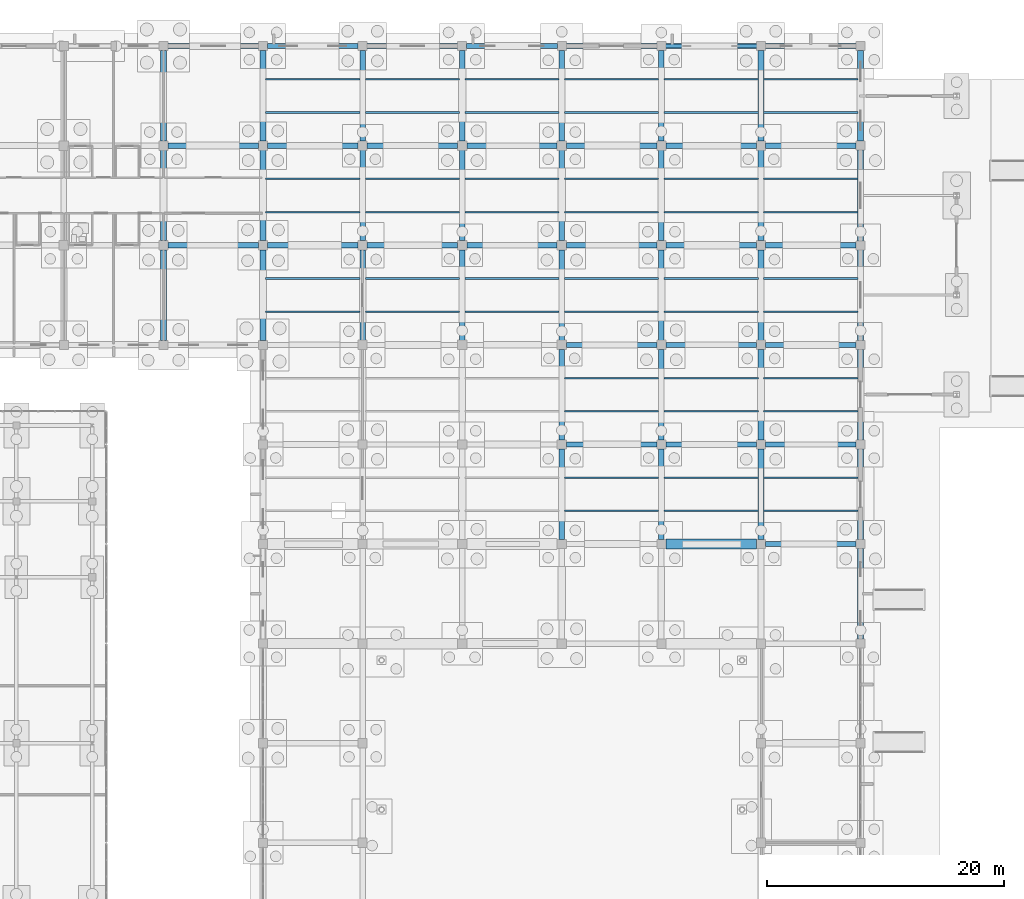
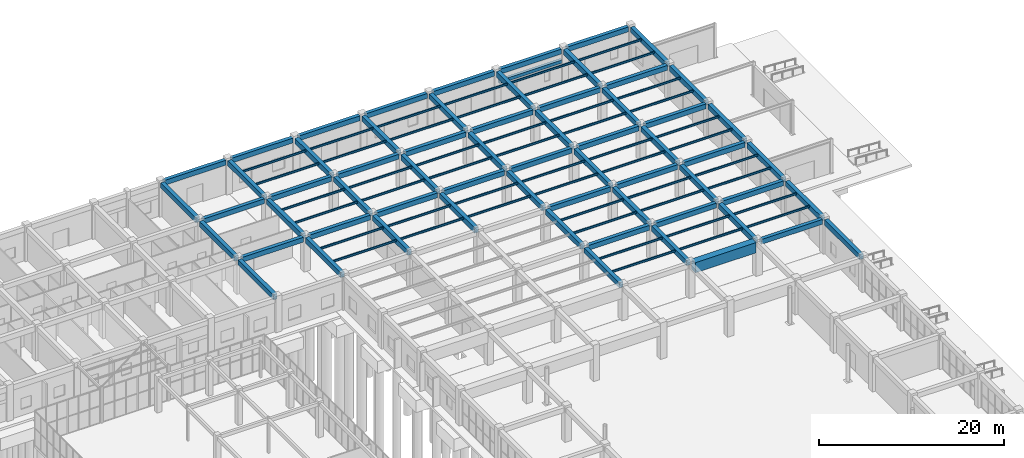
# One storey, part 134 of 192: 111 beams.
"""IFC4 building model written with IfcOpenShell, lengths in metres."""

from ifc_helpers import new_model, si_unit, direction, frame, origin, origin_2d, place, context, subcontext, project, spatial, rectangle, i_section, extrude, material, material_profile, profile_set, type_object, element, save


model = new_model("IFC4")

# Units and contexts
model_context = context("Model", 3, precision=1e-05, world=origin(), true_north=direction((0.0, 1.0)))
body_context = subcontext(model_context, "Body", "Model", "MODEL_VIEW")
ifc_project = project(units=[si_unit("LENGTHUNIT", "METRE"), si_unit("AREAUNIT", "SQUARE_METRE"), si_unit("VOLUMEUNIT", "CUBIC_METRE"), si_unit("PLANEANGLEUNIT", "RADIAN"), si_unit("MASSUNIT", "GRAM", prefix="KILO")], contexts=[model_context])

# Site, building, storey
site_placement = place(None, origin())
site = spatial("IfcSite", under=ifc_project, at=site_placement, CompositionType="ELEMENT")
building_placement = place(site_placement, origin())
building = spatial("IfcBuilding", under=site, at=building_placement, Name="Trelvath General Hospital", CompositionType="ELEMENT")
storey_placement = place(building_placement, origin())
storey = spatial("IfcBuildingStorey", under=building, at=storey_placement, Name="L00", CompositionType="ELEMENT", Elevation=0.0)

# Beams
ifc_material_1 = material(Name="Concrete C35/45", Category="concrete")
ifc_material_profile_1 = material_profile(ifc_material_1, rectangle(XDim=0.43994140625, YDim=0.639892578125, at=origin_2d()), Name="RCB440x640")
ifc_profile_set_1 = profile_set([ifc_material_profile_1], Name="Concrete C35/45")
beam_type_1 = type_object("IfcBeamType", Name="Beam RC440x640", PredefinedType="BEAM", material=ifc_profile_set_1)
for number, where, z_axis, x_axis, name in (
    (1, (126.385009765625, 100.800048828125, 4.199951171875), (1.0, 0.0, 0.0), (0.0, 1.0, 0.0), "Grid Beam BX-015M"),
    (2, (126.385009765625, 109.199951171875, 4.199951171875), (1.0, 0.0, 0.0), (0.0, 1.0, 0.0), "Grid Beam BX-015N"),
):
    element("IfcBeam", number, at=place(storey_placement, frame(where, z_axis=z_axis, x_axis=x_axis)), inside=storey, type_object=beam_type_1, Name=name, PredefinedType="BEAM", context=body_context, shape_type="SweptSolid", body=[
        extrude(rectangle(XDim=0.43994140625, YDim=0.639892578125, at=origin_2d()), origin(), (0.0, 0.0, 1.0), 7.6298828125),
    ])
beam_1_placement = place(storey_placement, frame((126.375, 117.60009765625, 4.199951171875), z_axis=(1.0, 0.0, 0.0), x_axis=(0.0, 1.0, 0.0)))
element("IfcBeam", 3, at=beam_1_placement, inside=storey, type_object=beam_type_1, Name="Grid Beam BX-015O", PredefinedType="BEAM", context=body_context, shape_type="SweptSolid", body=[
    extrude(rectangle(XDim=0.43994140625, YDim=0.639892578125, at=origin_2d()), origin(), (0.0, 0.0, 1.0), 7.64990234375),
])
for number, where, z_axis, x_axis, name in (
    (4, (134.784912109375, 100.800048828125, 4.199951171875), (1.0, 0.0, 0.0), (0.0, 1.0, 0.0), "Grid Beam BX-016M"),
    (5, (134.784912109375, 109.199951171875, 4.199951171875), (1.0, 0.0, 0.0), (0.0, 1.0, 0.0), "Grid Beam BX-016N"),
):
    element("IfcBeam", number, at=place(storey_placement, frame(where, z_axis=z_axis, x_axis=x_axis)), inside=storey, type_object=beam_type_1, Name=name, PredefinedType="BEAM", context=body_context, shape_type="SweptSolid", body=[
        extrude(rectangle(XDim=0.43994140625, YDim=0.639892578125, at=origin_2d()), origin(), (0.0, 0.0, 1.0), 7.630126953125),
    ])
beam_2_placement = place(storey_placement, frame((134.77490234375, 117.60009765625, 4.199951171875), z_axis=(1.0, 0.0, 0.0), x_axis=(0.0, 1.0, 0.0)))
element("IfcBeam", 6, at=beam_2_placement, inside=storey, type_object=beam_type_1, Name="Grid Beam BX-016O", PredefinedType="BEAM", context=body_context, shape_type="SweptSolid", body=[
    extrude(rectangle(XDim=0.43994140625, YDim=0.639892578125, at=origin_2d()), origin(), (0.0, 0.0, 1.0), 7.650146484375),
])
for number, where, z_axis, x_axis, name in (
    (7, (143.18505859375, 100.800048828125, 4.199951171875), (1.0, 0.0, 0.0), (0.0, 1.0, 0.0), "Grid Beam BX-017M"),
    (8, (143.18505859375, 109.199951171875, 4.199951171875), (1.0, 0.0, 0.0), (0.0, 1.0, 0.0), "Grid Beam BX-017N"),
):
    element("IfcBeam", number, at=place(storey_placement, frame(where, z_axis=z_axis, x_axis=x_axis)), inside=storey, type_object=beam_type_1, Name=name, PredefinedType="BEAM", context=body_context, shape_type="SweptSolid", body=[
        extrude(rectangle(XDim=0.43994140625, YDim=0.639892578125, at=origin_2d()), origin(), (0.0, 0.0, 1.0), 7.6298828125),
    ])
beam_3_placement = place(storey_placement, frame((143.175048828125, 117.60009765625, 4.199951171875), z_axis=(1.0, 0.0, 0.0), x_axis=(0.0, 1.0, 0.0)))
element("IfcBeam", 9, at=beam_3_placement, inside=storey, type_object=beam_type_1, Name="Grid Beam BX-017O", PredefinedType="BEAM", context=body_context, shape_type="SweptSolid", body=[
    extrude(rectangle(XDim=0.43994140625, YDim=0.639892578125, at=origin_2d()), origin(), (0.0, 0.0, 1.0), 7.64990234375),
])
for number, where, z_axis, x_axis, name in (
    (10, (151.5849609375, 100.800048828125, 4.199951171875), (1.0, 0.0, 0.0), (0.0, 1.0, 0.0), "Grid Beam BX-018M"),
    (11, (151.5849609375, 109.199951171875, 4.199951171875), (1.0, 0.0, 0.0), (0.0, 1.0, 0.0), "Grid Beam BX-018N"),
):
    element("IfcBeam", number, at=place(storey_placement, frame(where, z_axis=z_axis, x_axis=x_axis)), inside=storey, type_object=beam_type_1, Name=name, PredefinedType="BEAM", context=body_context, shape_type="SweptSolid", body=[
        extrude(rectangle(XDim=0.43994140625, YDim=0.639892578125, at=origin_2d()), origin(), (0.0, 0.0, 1.0), 7.630126953125),
    ])
beam_4_placement = place(storey_placement, frame((151.574951171875, 117.60009765625, 4.199951171875), z_axis=(1.0, 0.0, 0.0), x_axis=(0.0, 1.0, 0.0)))
element("IfcBeam", 12, at=beam_4_placement, inside=storey, type_object=beam_type_1, Name="Grid Beam BX-018O", PredefinedType="BEAM", context=body_context, shape_type="SweptSolid", body=[
    extrude(rectangle(XDim=0.43994140625, YDim=0.639892578125, at=origin_2d()), origin(), (0.0, 0.0, 1.0), 7.650146484375),
])
for number, where, z_axis, x_axis, name in (
    (13, (159.985107421875, 84.0, 4.199951171875), (1.0, 0.0, 0.0), (0.0, 1.0, 0.0), "Grid Beam BX-019K"),
    (14, (159.985107421875, 92.39990234375, 4.199951171875), (1.0, 0.0, 0.0), (0.0, 1.0, 0.0), "Grid Beam BX-019L"),
    (15, (159.985107421875, 100.800048828125, 4.199951171875), (1.0, 0.0, 0.0), (0.0, 1.0, 0.0), "Grid Beam BX-019M"),
    (16, (159.985107421875, 109.199951171875, 4.199951171875), (1.0, 0.0, 0.0), (0.0, 1.0, 0.0), "Grid Beam BX-019N"),
):
    element("IfcBeam", number, at=place(storey_placement, frame(where, z_axis=z_axis, x_axis=x_axis)), inside=storey, type_object=beam_type_1, Name=name, PredefinedType="BEAM", context=body_context, shape_type="SweptSolid", body=[
        extrude(rectangle(XDim=0.43994140625, YDim=0.639892578125, at=origin_2d()), origin(), (0.0, 0.0, 1.0), 7.6298828125),
    ])
beam_5_placement = place(storey_placement, frame((159.97509765625, 117.60009765625, 4.199951171875), z_axis=(1.0, 0.0, 0.0), x_axis=(0.0, 1.0, 0.0)))
element("IfcBeam", 17, at=beam_5_placement, inside=storey, type_object=beam_type_1, Name="Grid Beam BX-019O", PredefinedType="BEAM", context=body_context, shape_type="SweptSolid", body=[
    extrude(rectangle(XDim=0.43994140625, YDim=0.639892578125, at=origin_2d()), origin(), (0.0, 0.0, 1.0), 7.64990234375),
])
for number, where, z_axis, x_axis, name in (
    (18, (168.385009765625, 84.0, 4.199951171875), (1.0, 0.0, 0.0), (0.0, 1.0, 0.0), "Grid Beam BX-020K"),
    (19, (168.385009765625, 92.39990234375, 4.199951171875), (1.0, 0.0, 0.0), (0.0, 1.0, 0.0), "Grid Beam BX-020L"),
    (20, (168.385009765625, 100.800048828125, 4.199951171875), (1.0, 0.0, 0.0), (0.0, 1.0, 0.0), "Grid Beam BX-020M"),
    (21, (168.385009765625, 109.199951171875, 4.199951171875), (1.0, 0.0, 0.0), (0.0, 1.0, 0.0), "Grid Beam BX-020N"),
):
    element("IfcBeam", number, at=place(storey_placement, frame(where, z_axis=z_axis, x_axis=x_axis)), inside=storey, type_object=beam_type_1, Name=name, PredefinedType="BEAM", context=body_context, shape_type="SweptSolid", body=[
        extrude(rectangle(XDim=0.43994140625, YDim=0.639892578125, at=origin_2d()), origin(), (0.0, 0.0, 1.0), 7.6298828125),
    ])
beam_6_placement = place(storey_placement, frame((168.375, 117.60009765625, 4.199951171875), z_axis=(1.0, 0.0, 0.0), x_axis=(0.0, 1.0, 0.0)))
element("IfcBeam", 22, at=beam_6_placement, inside=storey, type_object=beam_type_1, Name="Grid Beam BX-020O", PredefinedType="BEAM", context=body_context, shape_type="SweptSolid", body=[
    extrude(rectangle(XDim=0.43994140625, YDim=0.639892578125, at=origin_2d()), origin(), (0.0, 0.0, 1.0), 7.64990234375),
])
for number, where, z_axis, x_axis, name in (
    (23, (176.784912109375, 75.60009765625, 4.199951171875), (1.0, 0.0, 0.0), (0.0, 1.0, 0.0), "Grid Beam BX-021J"),
    (24, (176.784912109375, 84.0, 4.199951171875), (1.0, 0.0, 0.0), (0.0, 1.0, 0.0), "Grid Beam BX-021K"),
    (25, (176.784912109375, 92.39990234375, 4.199951171875), (1.0, 0.0, 0.0), (0.0, 1.0, 0.0), "Grid Beam BX-021L"),
    (26, (176.784912109375, 100.800048828125, 4.199951171875), (1.0, 0.0, 0.0), (0.0, 1.0, 0.0), "Grid Beam BX-021M"),
    (27, (176.784912109375, 109.199951171875, 4.199951171875), (1.0, 0.0, 0.0), (0.0, 1.0, 0.0), "Grid Beam BX-021N"),
):
    element("IfcBeam", number, at=place(storey_placement, frame(where, z_axis=z_axis, x_axis=x_axis)), inside=storey, type_object=beam_type_1, Name=name, PredefinedType="BEAM", context=body_context, shape_type="SweptSolid", body=[
        extrude(rectangle(XDim=0.43994140625, YDim=0.639892578125, at=origin_2d()), origin(), (0.0, 0.0, 1.0), 7.64013671875),
    ])
beam_7_placement = place(storey_placement, frame((176.77490234375, 117.60009765625, 4.199951171875), z_axis=(1.0, 0.0, 0.0), x_axis=(0.0, 1.0, 0.0)))
element("IfcBeam", 28, at=beam_7_placement, inside=storey, type_object=beam_type_1, Name="Grid Beam BX-021O", PredefinedType="BEAM", context=body_context, shape_type="SweptSolid", body=[
    extrude(rectangle(XDim=0.43994140625, YDim=0.639892578125, at=origin_2d()), origin(), (0.0, 0.0, 1.0), 7.650146484375),
])
ifc_material_2 = material(Name="Concrete C35/45", Category="concrete")
ifc_material_profile_2 = material_profile(ifc_material_2, rectangle(XDim=0.47998046875, YDim=0.679931640625, at=origin_2d()), Name="RCB480x680")
ifc_profile_set_2 = profile_set([ifc_material_profile_2], Name="Concrete C35/45")
beam_type_2 = type_object("IfcBeamType", Name="Beam RC480x680", PredefinedType="BEAM", material=ifc_profile_set_2)
beam_8_placement = place(storey_placement, frame((126.0, 92.77490234375, 4.179931640625), z_axis=(0.0, 1.0, 0.0), x_axis=(-1.0, 0.0, 0.0)))
element("IfcBeam", 29, at=beam_8_placement, inside=storey, type_object=beam_type_2, Name="Grid Beam BY-015L", PredefinedType="BEAM", context=body_context, shape_type="SweptSolid", body=[
    extrude(rectangle(XDim=0.47998046875, YDim=0.679931640625, at=origin_2d()), origin(), (0.0, 0.0, 1.0), 7.64013671875),
])
beam_9_placement = place(storey_placement, frame((126.0, 101.18505859375, 4.179931640625), z_axis=(0.0, 1.0, 0.0), x_axis=(-1.0, 0.0, 0.0)))
element("IfcBeam", 30, at=beam_9_placement, inside=storey, type_object=beam_type_2, Name="Grid Beam BY-015M", PredefinedType="BEAM", context=body_context, shape_type="SweptSolid", body=[
    extrude(rectangle(XDim=0.47998046875, YDim=0.679931640625, at=origin_2d()), origin(), (0.0, 0.0, 1.0), 7.6298828125),
])
for number, where, z_axis, x_axis, name in (
    (31, (126.0, 109.5849609375, 4.179931640625), (0.0, 1.0, 0.0), (-1.0, 0.0, 0.0), "Grid Beam BY-015N"),
    (32, (134.39990234375, 92.77490234375, 4.179931640625), (0.0, 1.0, 0.0), (-1.0, 0.0, 0.0), "Grid Beam BY-016L"),
):
    element("IfcBeam", number, at=place(storey_placement, frame(where, z_axis=z_axis, x_axis=x_axis)), inside=storey, type_object=beam_type_2, Name=name, PredefinedType="BEAM", context=body_context, shape_type="SweptSolid", body=[
        extrude(rectangle(XDim=0.47998046875, YDim=0.679931640625, at=origin_2d()), origin(), (0.0, 0.0, 1.0), 7.64013671875),
    ])
beam_10_placement = place(storey_placement, frame((134.39990234375, 101.18505859375, 4.179931640625), z_axis=(0.0, 1.0, 0.0), x_axis=(-1.0, 0.0, 0.0)))
element("IfcBeam", 33, at=beam_10_placement, inside=storey, type_object=beam_type_2, Name="Grid Beam BY-016M", PredefinedType="BEAM", context=body_context, shape_type="SweptSolid", body=[
    extrude(rectangle(XDim=0.47998046875, YDim=0.679931640625, at=origin_2d()), origin(), (0.0, 0.0, 1.0), 7.6298828125),
])
beam_11_placement = place(storey_placement, frame((134.39990234375, 109.5849609375, 4.179931640625), z_axis=(0.0, 1.0, 0.0), x_axis=(-1.0, 0.0, 0.0)))
element("IfcBeam", 34, at=beam_11_placement, inside=storey, type_object=beam_type_2, Name="Grid Beam BY-016N", PredefinedType="BEAM", context=body_context, shape_type="SweptSolid", body=[
    extrude(rectangle(XDim=0.47998046875, YDim=0.679931640625, at=origin_2d()), origin(), (0.0, 0.0, 1.0), 7.64013671875),
])
beam_12_placement = place(storey_placement, frame((142.800048828125, 92.784912109375, 4.179931640625), z_axis=(0.0, 1.0, 0.0), x_axis=(-1.0, 0.0, 0.0)))
element("IfcBeam", 35, at=beam_12_placement, inside=storey, type_object=beam_type_2, Name="Grid Beam BY-017L", PredefinedType="BEAM", context=body_context, shape_type="SweptSolid", body=[
    extrude(rectangle(XDim=0.47998046875, YDim=0.679931640625, at=origin_2d()), origin(), (0.0, 0.0, 1.0), 7.630126953125),
])
beam_13_placement = place(storey_placement, frame((142.800048828125, 101.18505859375, 4.179931640625), z_axis=(0.0, 1.0, 0.0), x_axis=(-1.0, 0.0, 0.0)))
element("IfcBeam", 36, at=beam_13_placement, inside=storey, type_object=beam_type_2, Name="Grid Beam BY-017M", PredefinedType="BEAM", context=body_context, shape_type="SweptSolid", body=[
    extrude(rectangle(XDim=0.47998046875, YDim=0.679931640625, at=origin_2d()), origin(), (0.0, 0.0, 1.0), 7.6298828125),
])
beam_14_placement = place(storey_placement, frame((142.800048828125, 109.5849609375, 4.179931640625), z_axis=(0.0, 1.0, 0.0), x_axis=(-1.0, 0.0, 0.0)))
element("IfcBeam", 37, at=beam_14_placement, inside=storey, type_object=beam_type_2, Name="Grid Beam BY-017N", PredefinedType="BEAM", context=body_context, shape_type="SweptSolid", body=[
    extrude(rectangle(XDim=0.47998046875, YDim=0.679931640625, at=origin_2d()), origin(), (0.0, 0.0, 1.0), 7.64013671875),
])
beam_15_placement = place(storey_placement, frame((151.199951171875, 92.784912109375, 4.179931640625), z_axis=(0.0, 1.0, 0.0), x_axis=(-1.0, 0.0, 0.0)))
element("IfcBeam", 38, at=beam_15_placement, inside=storey, type_object=beam_type_2, Name="Grid Beam BY-018L", PredefinedType="BEAM", context=body_context, shape_type="SweptSolid", body=[
    extrude(rectangle(XDim=0.47998046875, YDim=0.679931640625, at=origin_2d()), origin(), (0.0, 0.0, 1.0), 7.630126953125),
])
beam_16_placement = place(storey_placement, frame((151.199951171875, 101.18505859375, 4.179931640625), z_axis=(0.0, 1.0, 0.0), x_axis=(-1.0, 0.0, 0.0)))
element("IfcBeam", 39, at=beam_16_placement, inside=storey, type_object=beam_type_2, Name="Grid Beam BY-018M", PredefinedType="BEAM", context=body_context, shape_type="SweptSolid", body=[
    extrude(rectangle(XDim=0.47998046875, YDim=0.679931640625, at=origin_2d()), origin(), (0.0, 0.0, 1.0), 7.6298828125),
])
beam_17_placement = place(storey_placement, frame((151.199951171875, 109.5849609375, 4.179931640625), z_axis=(0.0, 1.0, 0.0), x_axis=(-1.0, 0.0, 0.0)))
element("IfcBeam", 40, at=beam_17_placement, inside=storey, type_object=beam_type_2, Name="Grid Beam BY-018N", PredefinedType="BEAM", context=body_context, shape_type="SweptSolid", body=[
    extrude(rectangle(XDim=0.47998046875, YDim=0.679931640625, at=origin_2d()), origin(), (0.0, 0.0, 1.0), 7.64013671875),
])
for number, where, z_axis, x_axis, name in (
    (41, (159.60009765625, 75.985107421875, 4.179931640625), (0.0, 1.0, 0.0), (-1.0, 0.0, 0.0), "Grid Beam BY-019J"),
    (42, (159.60009765625, 84.385009765625, 4.179931640625), (0.0, 1.0, 0.0), (-1.0, 0.0, 0.0), "Grid Beam BY-019K"),
):
    element("IfcBeam", number, at=place(storey_placement, frame(where, z_axis=z_axis, x_axis=x_axis)), inside=storey, type_object=beam_type_2, Name=name, PredefinedType="BEAM", context=body_context, shape_type="SweptSolid", body=[
        extrude(rectangle(XDim=0.47998046875, YDim=0.679931640625, at=origin_2d()), origin(), (0.0, 0.0, 1.0), 7.6298828125),
    ])
beam_18_placement = place(storey_placement, frame((159.60009765625, 92.784912109375, 4.179931640625), z_axis=(0.0, 1.0, 0.0), x_axis=(-1.0, 0.0, 0.0)))
element("IfcBeam", 43, at=beam_18_placement, inside=storey, type_object=beam_type_2, Name="Grid Beam BY-019L", PredefinedType="BEAM", context=body_context, shape_type="SweptSolid", body=[
    extrude(rectangle(XDim=0.47998046875, YDim=0.679931640625, at=origin_2d()), origin(), (0.0, 0.0, 1.0), 7.630126953125),
])
beam_19_placement = place(storey_placement, frame((159.60009765625, 101.18505859375, 4.179931640625), z_axis=(0.0, 1.0, 0.0), x_axis=(-1.0, 0.0, 0.0)))
element("IfcBeam", 44, at=beam_19_placement, inside=storey, type_object=beam_type_2, Name="Grid Beam BY-019M", PredefinedType="BEAM", context=body_context, shape_type="SweptSolid", body=[
    extrude(rectangle(XDim=0.47998046875, YDim=0.679931640625, at=origin_2d()), origin(), (0.0, 0.0, 1.0), 7.6298828125),
])
beam_20_placement = place(storey_placement, frame((159.60009765625, 109.5849609375, 4.179931640625), z_axis=(0.0, 1.0, 0.0), x_axis=(-1.0, 0.0, 0.0)))
element("IfcBeam", 45, at=beam_20_placement, inside=storey, type_object=beam_type_2, Name="Grid Beam BY-019N", PredefinedType="BEAM", context=body_context, shape_type="SweptSolid", body=[
    extrude(rectangle(XDim=0.47998046875, YDim=0.679931640625, at=origin_2d()), origin(), (0.0, 0.0, 1.0), 7.64013671875),
])
for number, where, z_axis, x_axis, name in (
    (46, (168.0, 75.985107421875, 4.179931640625), (0.0, 1.0, 0.0), (-1.0, 0.0, 0.0), "Grid Beam BY-020J"),
    (47, (168.0, 84.385009765625, 4.179931640625), (0.0, 1.0, 0.0), (-1.0, 0.0, 0.0), "Grid Beam BY-020K"),
):
    element("IfcBeam", number, at=place(storey_placement, frame(where, z_axis=z_axis, x_axis=x_axis)), inside=storey, type_object=beam_type_2, Name=name, PredefinedType="BEAM", context=body_context, shape_type="SweptSolid", body=[
        extrude(rectangle(XDim=0.47998046875, YDim=0.679931640625, at=origin_2d()), origin(), (0.0, 0.0, 1.0), 7.6298828125),
    ])
beam_21_placement = place(storey_placement, frame((168.0, 92.784912109375, 4.179931640625), z_axis=(0.0, 1.0, 0.0), x_axis=(-1.0, 0.0, 0.0)))
element("IfcBeam", 48, at=beam_21_placement, inside=storey, type_object=beam_type_2, Name="Grid Beam BY-020L", PredefinedType="BEAM", context=body_context, shape_type="SweptSolid", body=[
    extrude(rectangle(XDim=0.47998046875, YDim=0.679931640625, at=origin_2d()), origin(), (0.0, 0.0, 1.0), 7.630126953125),
])
beam_22_placement = place(storey_placement, frame((168.0, 101.18505859375, 4.179931640625), z_axis=(0.0, 1.0, 0.0), x_axis=(-1.0, 0.0, 0.0)))
element("IfcBeam", 49, at=beam_22_placement, inside=storey, type_object=beam_type_2, Name="Grid Beam BY-020M", PredefinedType="BEAM", context=body_context, shape_type="SweptSolid", body=[
    extrude(rectangle(XDim=0.47998046875, YDim=0.679931640625, at=origin_2d()), origin(), (0.0, 0.0, 1.0), 7.6298828125),
])
beam_23_placement = place(storey_placement, frame((168.0, 109.5849609375, 4.179931640625), z_axis=(0.0, 1.0, 0.0), x_axis=(-1.0, 0.0, 0.0)))
element("IfcBeam", 50, at=beam_23_placement, inside=storey, type_object=beam_type_2, Name="Grid Beam BY-020N", PredefinedType="BEAM", context=body_context, shape_type="SweptSolid", body=[
    extrude(rectangle(XDim=0.47998046875, YDim=0.679931640625, at=origin_2d()), origin(), (0.0, 0.0, 1.0), 7.64013671875),
])
for number, where, z_axis, x_axis, name in (
    (51, (176.39990234375, 75.985107421875, 4.179931640625), (0.0, 1.0, 0.0), (-1.0, 0.0, 0.0), "Grid Beam BY-021J"),
    (52, (176.39990234375, 84.385009765625, 4.179931640625), (0.0, 1.0, 0.0), (-1.0, 0.0, 0.0), "Grid Beam BY-021K"),
):
    element("IfcBeam", number, at=place(storey_placement, frame(where, z_axis=z_axis, x_axis=x_axis)), inside=storey, type_object=beam_type_2, Name=name, PredefinedType="BEAM", context=body_context, shape_type="SweptSolid", body=[
        extrude(rectangle(XDim=0.47998046875, YDim=0.679931640625, at=origin_2d()), origin(), (0.0, 0.0, 1.0), 7.6298828125),
    ])
beam_24_placement = place(storey_placement, frame((176.39990234375, 92.784912109375, 4.179931640625), z_axis=(0.0, 1.0, 0.0), x_axis=(-1.0, 0.0, 0.0)))
element("IfcBeam", 53, at=beam_24_placement, inside=storey, type_object=beam_type_2, Name="Grid Beam BY-021L", PredefinedType="BEAM", context=body_context, shape_type="SweptSolid", body=[
    extrude(rectangle(XDim=0.47998046875, YDim=0.679931640625, at=origin_2d()), origin(), (0.0, 0.0, 1.0), 7.630126953125),
])
beam_25_placement = place(storey_placement, frame((176.39990234375, 101.18505859375, 4.179931640625), z_axis=(0.0, 1.0, 0.0), x_axis=(-1.0, 0.0, 0.0)))
element("IfcBeam", 54, at=beam_25_placement, inside=storey, type_object=beam_type_2, Name="Grid Beam BY-021M", PredefinedType="BEAM", context=body_context, shape_type="SweptSolid", body=[
    extrude(rectangle(XDim=0.47998046875, YDim=0.679931640625, at=origin_2d()), origin(), (0.0, 0.0, 1.0), 7.6298828125),
])
beam_26_placement = place(storey_placement, frame((176.39990234375, 109.5849609375, 4.179931640625), z_axis=(0.0, 1.0, 0.0), x_axis=(-1.0, 0.0, 0.0)))
element("IfcBeam", 55, at=beam_26_placement, inside=storey, type_object=beam_type_2, Name="Grid Beam BY-021N", PredefinedType="BEAM", context=body_context, shape_type="SweptSolid", body=[
    extrude(rectangle(XDim=0.47998046875, YDim=0.679931640625, at=origin_2d()), origin(), (0.0, 0.0, 1.0), 7.64013671875),
])
beam_27_placement = place(storey_placement, frame((184.800048828125, 67.574951171875, 4.179931640625), z_axis=(0.0, 1.0, 0.0), x_axis=(-1.0, 0.0, 0.0)))
element("IfcBeam", 56, at=beam_27_placement, inside=storey, type_object=beam_type_2, Name="Grid Beam BY-022I", PredefinedType="BEAM", context=body_context, shape_type="SweptSolid", body=[
    extrude(rectangle(XDim=0.47998046875, YDim=0.679931640625, at=origin_2d()), origin(), (0.0, 0.0, 1.0), 7.650146484375),
])
for number, where, z_axis, x_axis, name in (
    (57, (184.800048828125, 75.97509765625, 4.179931640625), (0.0, 1.0, 0.0), (-1.0, 0.0, 0.0), "Grid Beam BY-022J"),
    (58, (184.800048828125, 84.375, 4.179931640625), (0.0, 1.0, 0.0), (-1.0, 0.0, 0.0), "Grid Beam BY-022K"),
):
    element("IfcBeam", number, at=place(storey_placement, frame(where, z_axis=z_axis, x_axis=x_axis)), inside=storey, type_object=beam_type_2, Name=name, PredefinedType="BEAM", context=body_context, shape_type="SweptSolid", body=[
        extrude(rectangle(XDim=0.47998046875, YDim=0.679931640625, at=origin_2d()), origin(), (0.0, 0.0, 1.0), 7.64990234375),
    ])
beam_28_placement = place(storey_placement, frame((184.800048828125, 92.77490234375, 4.179931640625), z_axis=(0.0, 1.0, 0.0), x_axis=(-1.0, 0.0, 0.0)))
element("IfcBeam", 59, at=beam_28_placement, inside=storey, type_object=beam_type_2, Name="Grid Beam BY-022L", PredefinedType="BEAM", context=body_context, shape_type="SweptSolid", body=[
    extrude(rectangle(XDim=0.47998046875, YDim=0.679931640625, at=origin_2d()), origin(), (0.0, 0.0, 1.0), 7.650146484375),
])
beam_29_placement = place(storey_placement, frame((184.800048828125, 101.175048828125, 4.179931640625), z_axis=(0.0, 1.0, 0.0), x_axis=(-1.0, 0.0, 0.0)))
element("IfcBeam", 60, at=beam_29_placement, inside=storey, type_object=beam_type_2, Name="Grid Beam BY-022M", PredefinedType="BEAM", context=body_context, shape_type="SweptSolid", body=[
    extrude(rectangle(XDim=0.47998046875, YDim=0.679931640625, at=origin_2d()), origin(), (0.0, 0.0, 1.0), 7.64990234375),
])
beam_30_placement = place(storey_placement, frame((184.800048828125, 109.574951171875, 4.179931640625), z_axis=(0.0, 1.0, 0.0), x_axis=(-1.0, 0.0, 0.0)))
element("IfcBeam", 61, at=beam_30_placement, inside=storey, type_object=beam_type_2, Name="Grid Beam BY-022N", PredefinedType="BEAM", context=body_context, shape_type="SweptSolid", body=[
    extrude(rectangle(XDim=0.47998046875, YDim=0.679931640625, at=origin_2d()), origin(), (0.0, 0.0, 1.0), 7.650146484375),
])
ifc_material_3 = material(Name="Steel S355", Category="steel")
ifc_material_profile_3 = material_profile(ifc_material_3, i_section(OverallWidth=0.135009765625, OverallDepth=0.27001953125, WebThickness=0.006591796875, FlangeThickness=0.01025390625, at=origin_2d()), Name="IPE270")
ifc_profile_set_3 = profile_set([ifc_material_profile_3], Name="Steel S355")
beam_type_3 = type_object("IfcBeamType", Name="InterstitialJoist IPE270", PredefinedType="JOIST", material=ifc_profile_set_3)
for number, where, z_axis, x_axis, name in (
    (62, (134.6298828125, 95.199951171875, 4.385009765625), (1.0, 0.0, 0.0), (0.0, 1.0, 0.0), "Interstitial Deck Joist IJ-1-107"),
    (63, (134.6298828125, 98.0, 4.385009765625), (1.0, 0.0, 0.0), (0.0, 1.0, 0.0), "Interstitial Deck Joist IJ-1-108"),
    (64, (134.6298828125, 103.60009765625, 4.385009765625), (1.0, 0.0, 0.0), (0.0, 1.0, 0.0), "Interstitial Deck Joist IJ-1-109"),
    (65, (134.6298828125, 106.39990234375, 4.385009765625), (1.0, 0.0, 0.0), (0.0, 1.0, 0.0), "Interstitial Deck Joist IJ-1-110"),
    (66, (134.6298828125, 112.0, 4.385009765625), (1.0, 0.0, 0.0), (0.0, 1.0, 0.0), "Interstitial Deck Joist IJ-1-111"),
    (67, (134.6298828125, 114.800048828125, 4.385009765625), (1.0, 0.0, 0.0), (0.0, 1.0, 0.0), "Interstitial Deck Joist IJ-1-112"),
):
    element("IfcBeam", number, at=place(storey_placement, frame(where, z_axis=z_axis, x_axis=x_axis)), inside=storey, type_object=beam_type_3, Name=name, PredefinedType="JOIST", context=body_context, shape_type="SweptSolid", body=[
        extrude(i_section(OverallWidth=0.135009765625, OverallDepth=0.27001953125, WebThickness=0.006591796875, FlangeThickness=0.01025390625, at=origin_2d()), origin(), (0.0, 0.0, 1.0), 7.940185546875),
    ])
for number, where, z_axis, x_axis, name in (
    (68, (143.030029296875, 95.199951171875, 4.385009765625), (1.0, 0.0, 0.0), (0.0, 1.0, 0.0), "Interstitial Deck Joist IJ-1-117"),
    (69, (143.030029296875, 98.0, 4.385009765625), (1.0, 0.0, 0.0), (0.0, 1.0, 0.0), "Interstitial Deck Joist IJ-1-118"),
    (70, (143.030029296875, 103.60009765625, 4.385009765625), (1.0, 0.0, 0.0), (0.0, 1.0, 0.0), "Interstitial Deck Joist IJ-1-119"),
    (71, (143.030029296875, 106.39990234375, 4.385009765625), (1.0, 0.0, 0.0), (0.0, 1.0, 0.0), "Interstitial Deck Joist IJ-1-120"),
    (72, (143.030029296875, 112.0, 4.385009765625), (1.0, 0.0, 0.0), (0.0, 1.0, 0.0), "Interstitial Deck Joist IJ-1-121"),
    (73, (143.030029296875, 114.800048828125, 4.385009765625), (1.0, 0.0, 0.0), (0.0, 1.0, 0.0), "Interstitial Deck Joist IJ-1-122"),
):
    element("IfcBeam", number, at=place(storey_placement, frame(where, z_axis=z_axis, x_axis=x_axis)), inside=storey, type_object=beam_type_3, Name=name, PredefinedType="JOIST", context=body_context, shape_type="SweptSolid", body=[
        extrude(i_section(OverallWidth=0.135009765625, OverallDepth=0.27001953125, WebThickness=0.006591796875, FlangeThickness=0.01025390625, at=origin_2d()), origin(), (0.0, 0.0, 1.0), 7.93994140625),
    ])
for number, where, z_axis, x_axis, name in (
    (74, (151.429931640625, 95.199951171875, 4.385009765625), (1.0, 0.0, 0.0), (0.0, 1.0, 0.0), "Interstitial Deck Joist IJ-1-127"),
    (75, (151.429931640625, 98.0, 4.385009765625), (1.0, 0.0, 0.0), (0.0, 1.0, 0.0), "Interstitial Deck Joist IJ-1-128"),
    (76, (151.429931640625, 103.60009765625, 4.385009765625), (1.0, 0.0, 0.0), (0.0, 1.0, 0.0), "Interstitial Deck Joist IJ-1-129"),
    (77, (151.429931640625, 106.39990234375, 4.385009765625), (1.0, 0.0, 0.0), (0.0, 1.0, 0.0), "Interstitial Deck Joist IJ-1-130"),
    (78, (151.429931640625, 112.0, 4.385009765625), (1.0, 0.0, 0.0), (0.0, 1.0, 0.0), "Interstitial Deck Joist IJ-1-131"),
    (79, (151.429931640625, 114.800048828125, 4.385009765625), (1.0, 0.0, 0.0), (0.0, 1.0, 0.0), "Interstitial Deck Joist IJ-1-132"),
):
    element("IfcBeam", number, at=place(storey_placement, frame(where, z_axis=z_axis, x_axis=x_axis)), inside=storey, type_object=beam_type_3, Name=name, PredefinedType="JOIST", context=body_context, shape_type="SweptSolid", body=[
        extrude(i_section(OverallWidth=0.135009765625, OverallDepth=0.27001953125, WebThickness=0.006591796875, FlangeThickness=0.01025390625, at=origin_2d()), origin(), (0.0, 0.0, 1.0), 7.940185546875),
    ])
for number, where, z_axis, x_axis, name in (
    (80, (159.830078125, 78.39990234375, 4.385009765625), (1.0, 0.0, 0.0), (0.0, 1.0, 0.0), "Interstitial Deck Joist IJ-1-133"),
    (81, (159.830078125, 81.199951171875, 4.385009765625), (1.0, 0.0, 0.0), (0.0, 1.0, 0.0), "Interstitial Deck Joist IJ-1-134"),
    (82, (159.830078125, 86.800048828125, 4.385009765625), (1.0, 0.0, 0.0), (0.0, 1.0, 0.0), "Interstitial Deck Joist IJ-1-135"),
    (83, (159.830078125, 89.60009765625, 4.385009765625), (1.0, 0.0, 0.0), (0.0, 1.0, 0.0), "Interstitial Deck Joist IJ-1-136"),
    (84, (159.830078125, 95.199951171875, 4.385009765625), (1.0, 0.0, 0.0), (0.0, 1.0, 0.0), "Interstitial Deck Joist IJ-1-137"),
    (85, (159.830078125, 98.0, 4.385009765625), (1.0, 0.0, 0.0), (0.0, 1.0, 0.0), "Interstitial Deck Joist IJ-1-138"),
    (86, (159.830078125, 103.60009765625, 4.385009765625), (1.0, 0.0, 0.0), (0.0, 1.0, 0.0), "Interstitial Deck Joist IJ-1-139"),
    (87, (159.830078125, 106.39990234375, 4.385009765625), (1.0, 0.0, 0.0), (0.0, 1.0, 0.0), "Interstitial Deck Joist IJ-1-140"),
    (88, (159.830078125, 112.0, 4.385009765625), (1.0, 0.0, 0.0), (0.0, 1.0, 0.0), "Interstitial Deck Joist IJ-1-141"),
    (89, (159.830078125, 114.800048828125, 4.385009765625), (1.0, 0.0, 0.0), (0.0, 1.0, 0.0), "Interstitial Deck Joist IJ-1-142"),
    (90, (168.22998046875, 78.39990234375, 4.385009765625), (1.0, 0.0, 0.0), (0.0, 1.0, 0.0), "Interstitial Deck Joist IJ-1-143"),
    (91, (168.22998046875, 81.199951171875, 4.385009765625), (1.0, 0.0, 0.0), (0.0, 1.0, 0.0), "Interstitial Deck Joist IJ-1-144"),
    (92, (168.22998046875, 86.800048828125, 4.385009765625), (1.0, 0.0, 0.0), (0.0, 1.0, 0.0), "Interstitial Deck Joist IJ-1-145"),
    (93, (168.22998046875, 89.60009765625, 4.385009765625), (1.0, 0.0, 0.0), (0.0, 1.0, 0.0), "Interstitial Deck Joist IJ-1-146"),
    (94, (168.22998046875, 95.199951171875, 4.385009765625), (1.0, 0.0, 0.0), (0.0, 1.0, 0.0), "Interstitial Deck Joist IJ-1-147"),
    (95, (168.22998046875, 98.0, 4.385009765625), (1.0, 0.0, 0.0), (0.0, 1.0, 0.0), "Interstitial Deck Joist IJ-1-148"),
    (96, (168.22998046875, 103.60009765625, 4.385009765625), (1.0, 0.0, 0.0), (0.0, 1.0, 0.0), "Interstitial Deck Joist IJ-1-149"),
    (97, (168.22998046875, 106.39990234375, 4.385009765625), (1.0, 0.0, 0.0), (0.0, 1.0, 0.0), "Interstitial Deck Joist IJ-1-150"),
    (98, (168.22998046875, 112.0, 4.385009765625), (1.0, 0.0, 0.0), (0.0, 1.0, 0.0), "Interstitial Deck Joist IJ-1-151"),
    (99, (168.22998046875, 114.800048828125, 4.385009765625), (1.0, 0.0, 0.0), (0.0, 1.0, 0.0), "Interstitial Deck Joist IJ-1-152"),
):
    element("IfcBeam", number, at=place(storey_placement, frame(where, z_axis=z_axis, x_axis=x_axis)), inside=storey, type_object=beam_type_3, Name=name, PredefinedType="JOIST", context=body_context, shape_type="SweptSolid", body=[
        extrude(i_section(OverallWidth=0.135009765625, OverallDepth=0.27001953125, WebThickness=0.006591796875, FlangeThickness=0.01025390625, at=origin_2d()), origin(), (0.0, 0.0, 1.0), 7.93994140625),
    ])
for number, where, z_axis, x_axis, name in (
    (100, (176.6298828125, 78.39990234375, 4.385009765625), (1.0, 0.0, 0.0), (0.0, 1.0, 0.0), "Interstitial Deck Joist IJ-1-153"),
    (101, (176.6298828125, 81.199951171875, 4.385009765625), (1.0, 0.0, 0.0), (0.0, 1.0, 0.0), "Interstitial Deck Joist IJ-1-154"),
    (102, (176.6298828125, 86.800048828125, 4.385009765625), (1.0, 0.0, 0.0), (0.0, 1.0, 0.0), "Interstitial Deck Joist IJ-1-155"),
    (103, (176.6298828125, 89.60009765625, 4.385009765625), (1.0, 0.0, 0.0), (0.0, 1.0, 0.0), "Interstitial Deck Joist IJ-1-156"),
    (104, (176.6298828125, 95.199951171875, 4.385009765625), (1.0, 0.0, 0.0), (0.0, 1.0, 0.0), "Interstitial Deck Joist IJ-1-157"),
    (105, (176.6298828125, 98.0, 4.385009765625), (1.0, 0.0, 0.0), (0.0, 1.0, 0.0), "Interstitial Deck Joist IJ-1-158"),
    (106, (176.6298828125, 103.60009765625, 4.385009765625), (1.0, 0.0, 0.0), (0.0, 1.0, 0.0), "Interstitial Deck Joist IJ-1-159"),
    (107, (176.6298828125, 106.39990234375, 4.385009765625), (1.0, 0.0, 0.0), (0.0, 1.0, 0.0), "Interstitial Deck Joist IJ-1-160"),
    (108, (176.6298828125, 112.0, 4.385009765625), (1.0, 0.0, 0.0), (0.0, 1.0, 0.0), "Interstitial Deck Joist IJ-1-161"),
    (109, (176.6298828125, 114.800048828125, 4.385009765625), (1.0, 0.0, 0.0), (0.0, 1.0, 0.0), "Interstitial Deck Joist IJ-1-162"),
):
    element("IfcBeam", number, at=place(storey_placement, frame(where, z_axis=z_axis, x_axis=x_axis)), inside=storey, type_object=beam_type_3, Name=name, PredefinedType="JOIST", context=body_context, shape_type="SweptSolid", body=[
        extrude(i_section(OverallWidth=0.135009765625, OverallDepth=0.27001953125, WebThickness=0.006591796875, FlangeThickness=0.01025390625, at=origin_2d()), origin(), (0.0, 0.0, 1.0), 7.940185546875),
    ])
ifc_material_4 = material(Name="Precast concrete C40/50", Category="concrete")
ifc_material_profile_4 = material_profile(ifc_material_4, rectangle(XDim=0.35009765625, YDim=0.419921875, at=origin_2d()), Name="PCL350x420")
ifc_profile_set_4 = profile_set([ifc_material_profile_4], Name="Precast concrete C40/50")
beam_type_4 = type_object("IfcBeamType", Name="Lintel PC350x420", PredefinedType="LINTEL", material=ifc_profile_set_4)
beam_31_placement = place(storey_placement, frame((168.294921875, 117.60009765625, 2.820068359375), z_axis=(1.0, 0.0, 0.0), x_axis=(0.0, 1.0, 0.0)))
element("IfcBeam", 110, at=beam_31_placement, inside=storey, type_object=beam_type_4, Name="Precast Window Brow Lintel L00-98", PredefinedType="LINTEL", context=body_context, shape_type="SweptSolid", body=[
    extrude(rectangle(XDim=0.35009765625, YDim=0.419921875, at=origin_2d()), origin(), (0.0, 0.0, 1.0), 7.81005859375),
])
ifc_material_5 = material(Name="Concrete C45/55", Category="concrete")
ifc_material_profile_5 = material_profile(ifc_material_5, rectangle(XDim=0.85009765625, YDim=1.35009765625, at=origin_2d()), Name="RCB850x1350")
ifc_profile_set_5 = profile_set([ifc_material_profile_5], Name="Concrete C45/55")
beam_type_5 = type_object("IfcBeamType", Name="TransferGirder RC850x1350", PredefinedType="T_BEAM", material=ifc_profile_set_5)
beam_32_placement = place(storey_placement, frame((168.385009765625, 75.60009765625, 3.844970703125), z_axis=(1.0, 0.0, 0.0), x_axis=(0.0, 1.0, 0.0)))
element("IfcBeam", 111, at=beam_32_placement, inside=storey, type_object=beam_type_5, Name="Transfer Girder TG-12 L00", PredefinedType="T_BEAM", context=body_context, shape_type="SweptSolid", body=[
    extrude(rectangle(XDim=0.85009765625, YDim=1.35009765625, at=origin_2d()), origin(), (0.0, 0.0, 1.0), 7.6298828125),
])

save(model, "model.ifc")
